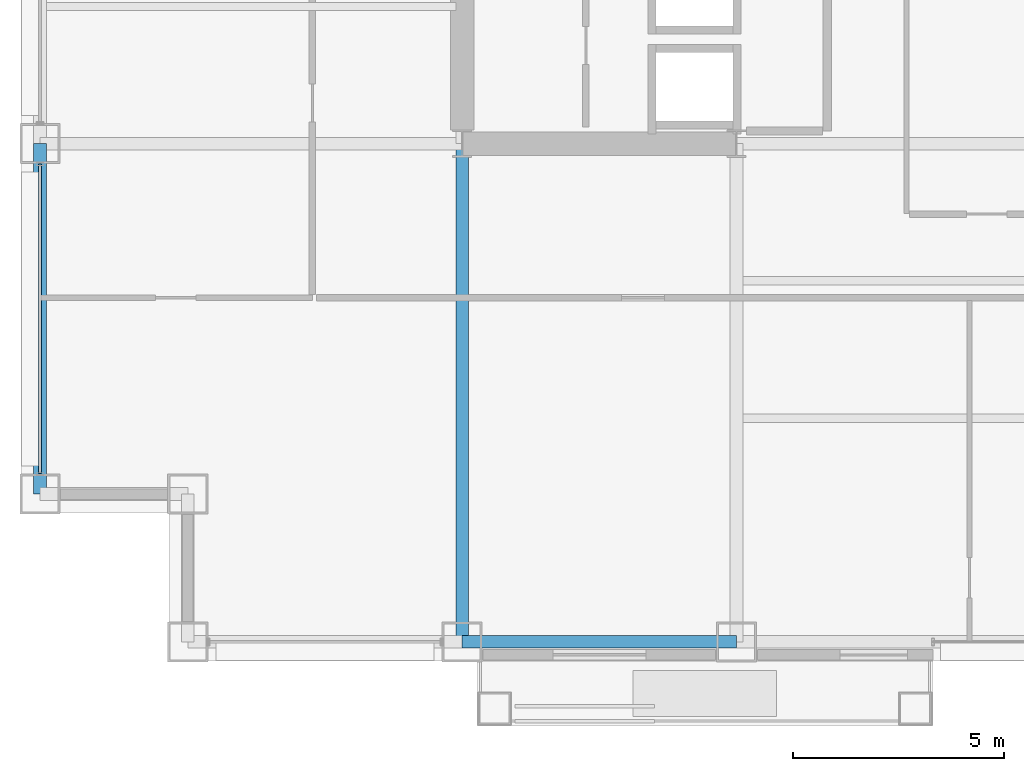
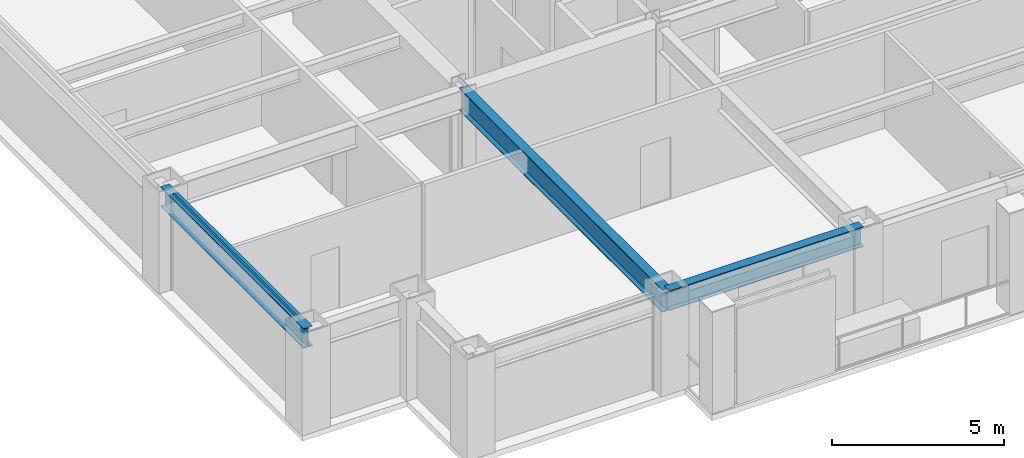
# One storey, part 3 of 31: 3 beams, 1 member, 1 element without a shape of its own.
"""IFC4 building model written with IfcOpenShell, lengths in metres."""

from ifc_helpers import new_model, si_unit, direction, frame, origin, origin_2d, place, context, subcontext, project, spatial, hollow_rectangle, i_section, extrude, material, layer, layer_set, material_profile, profile_set, type_object, element, aggregate, save


model = new_model("IFC4")

# Units and contexts
model_context = context("Model", 3, precision=1e-05, world=origin(), true_north=direction((0.0, 1.0)))
body_context = subcontext(model_context, "Body", "Model", "MODEL_VIEW")
ifc_project = project(units=[si_unit("LENGTHUNIT", "METRE"), si_unit("AREAUNIT", "SQUARE_METRE"), si_unit("VOLUMEUNIT", "CUBIC_METRE"), si_unit("PLANEANGLEUNIT", "RADIAN"), si_unit("MASSUNIT", "GRAM", prefix="KILO")], contexts=[model_context])

# Site, building, storey
site_placement = place(None, origin())
site = spatial("IfcSite", under=ifc_project, at=site_placement, CompositionType="ELEMENT")
building_placement = place(site_placement, origin())
building = spatial("IfcBuilding", under=site, at=building_placement, Name="Brelmoor Portico Tower", CompositionType="ELEMENT")
storey_placement = place(building_placement, frame((0.0, 0.0, 38.39990234375)))
storey = spatial("IfcBuildingStorey", under=building, at=storey_placement, Name="L09", CompositionType="ELEMENT", Elevation=38.39990234375)

# Beams
ifc_material_1 = material(Name="Steel Q355B", Category="steel")
ifc_material_profile_1 = material_profile(ifc_material_1, i_section(OverallWidth=0.300048828125, OverallDepth=0.800048828125, WebThickness=0.013916015625, FlangeThickness=0.02587890625, at=origin_2d()), Name="HN 800x300x14x26")
ifc_profile_set_1 = profile_set([ifc_material_profile_1], Name="Steel Q355B")
beam_type_1 = type_object("IfcBeamType", Name="BM-PG-800", PredefinedType="BEAM", material=ifc_profile_set_1)
beam_1_placement = place(storey_placement, frame((-14.550048828125, -21.550048828125, 3.0), z_axis=(0.0, 1.0, 0.0), x_axis=(-1.0, 0.0, 0.0)))
element("IfcBeam", 1, at=beam_1_placement, inside=storey, type_object=beam_type_1, Name="L09 Primary Floor Girder PG-03", PredefinedType="BEAM", context=body_context, shape_type="SweptSolid", body=[
    extrude(i_section(OverallWidth=0.300048828125, OverallDepth=0.800048828125, WebThickness=0.013916015625, FlangeThickness=0.02587890625, at=origin_2d()), origin(), (0.0, 0.0, 1.0), 11.800048828125),
])
ifc_material_profile_2 = material_profile(ifc_material_1, i_section(OverallWidth=0.300048828125, OverallDepth=0.699951171875, WebThickness=0.012939453125, FlangeThickness=0.02392578125, at=origin_2d()), Name="HN 700x300x13x24")
ifc_profile_set_2 = profile_set([ifc_material_profile_2], Name="Steel Q355B")
beam_type_2 = type_object("IfcBeamType", Name="BM-SP-700", PredefinedType="SPANDREL", material=ifc_profile_set_2)
beam_2_placement = place(storey_placement, frame((-14.550048828125, -21.550048828125, 3.050048828125), z_axis=(1.0, 0.0, 0.0), x_axis=(0.0, 1.0, 0.0)))
element("IfcBeam", 2, at=beam_2_placement, inside=storey, type_object=beam_type_2, Name="L09 Perimeter Spandrel Beam SP-02", PredefinedType="SPANDREL", context=body_context, shape_type="SweptSolid", body=[
    extrude(i_section(OverallWidth=0.300048828125, OverallDepth=0.699951171875, WebThickness=0.012939453125, FlangeThickness=0.02392578125, at=origin_2d()), origin(), (0.0, 0.0, 1.0), 6.5),
])
beam_3_placement = place(storey_placement, frame((-24.550048828125, -18.050048828125, 3.050048828125), z_axis=(0.0, 1.0, 0.0), x_axis=(-1.0, 0.0, 0.0)))
element("IfcBeam", 3, at=beam_3_placement, inside=storey, type_object=beam_type_2, Name="L09 Perimeter Spandrel Beam SP-15", PredefinedType="SPANDREL", context=body_context, shape_type="SweptSolid", body=[
    extrude(i_section(OverallWidth=0.300048828125, OverallDepth=0.699951171875, WebThickness=0.012939453125, FlangeThickness=0.02392578125, at=origin_2d()), origin(), (0.0, 0.0, 1.0), 8.300048828125),
])

# Curtain wall, member
ifc_material_2 = material(Name="Anodised Aluminium Alloy 6063-T6", Category="aluminium")
ifc_layer = layer(ifc_material_2, 0.179931640625)
ifc_layer_set = layer_set([ifc_layer], Name="Anodised Aluminium Alloy 6063-T6")
curtain_wall_type = type_object("IfcCurtainWallType", Name="CW-TOWER-Z1-XB", PredefinedType="NOTDEFINED", material=ifc_layer_set)
curtain_wall_placement = place(storey_placement, origin())
curtain_wall = element("IfcCurtainWall", 4, at=curtain_wall_placement, inside=storey, type_object=curtain_wall_type, Name="L09 Curtain Wall CW-L09-03-1", PredefinedType="NOTDEFINED")
ifc_material_profile_3 = material_profile(ifc_material_2, hollow_rectangle(XDim=0.06494140625, YDim=0.139892578125, WallThickness=0.00390625, at=origin_2d()), Name="ALU TRANSOM 65x140")
ifc_profile_set_3 = profile_set([ifc_material_profile_3], Name="Anodised Aluminium Alloy 6063-T6")
member_type = type_object("IfcMemberType", Name="MB-CW-TRAN-140", PredefinedType="USERDEFINED", material=ifc_profile_set_3)
member_placement = place(storey_placement, frame((-24.550048828125, -17.56494140625, 3.330078125), z_axis=(0.0, 1.0, 0.0), x_axis=(-1.0, 0.0, 0.0)))
member = element("IfcMember", 5, at=member_placement, type_object=member_type, Name="CW-L09-03-1 Transom 1-00", ObjectType="TRANSOM", PredefinedType="USERDEFINED", context=body_context, shape_type="SweptSolid", body=[
    extrude(hollow_rectangle(XDim=0.06494140625, YDim=0.139892578125, WallThickness=0.00390625, at=origin_2d()), origin(), (0.0, 0.0, 1.0), 7.329833984375),
])
aggregate(curtain_wall, [member])

save(model, "model.ifc")
